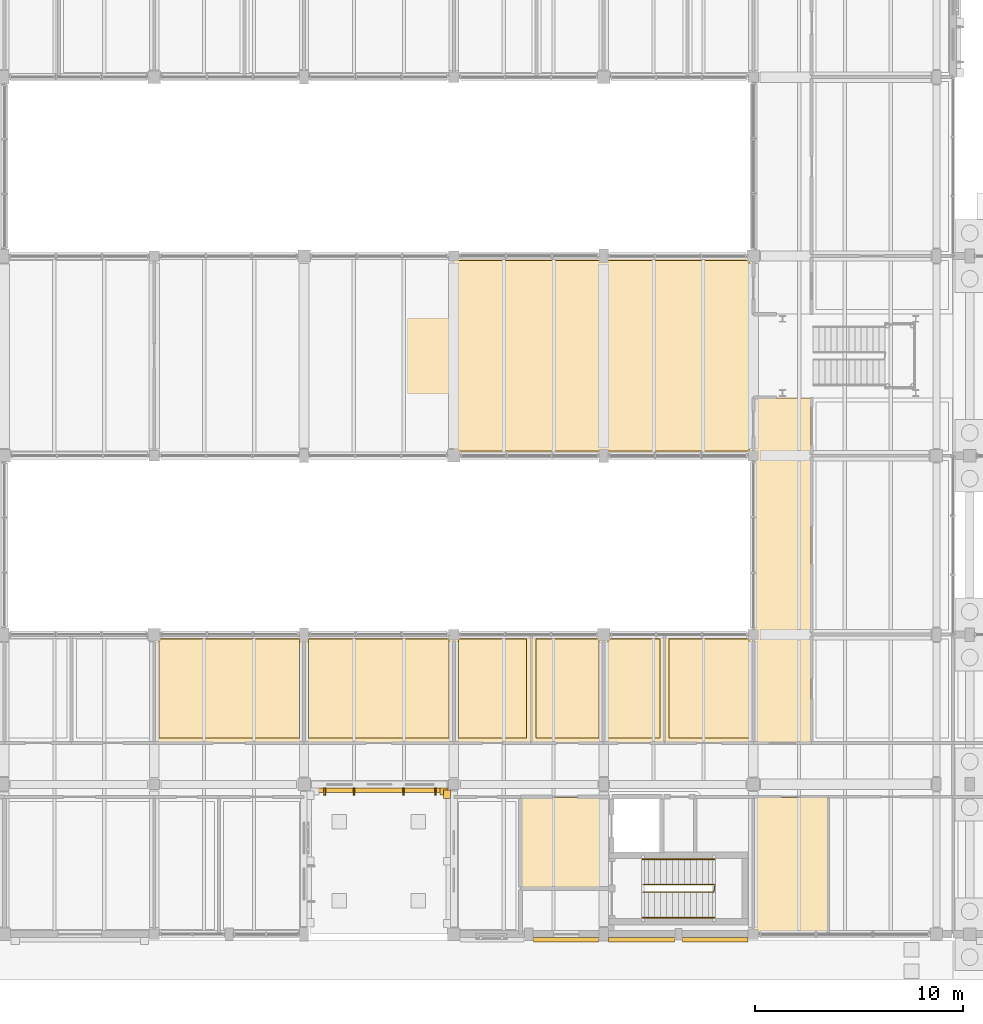
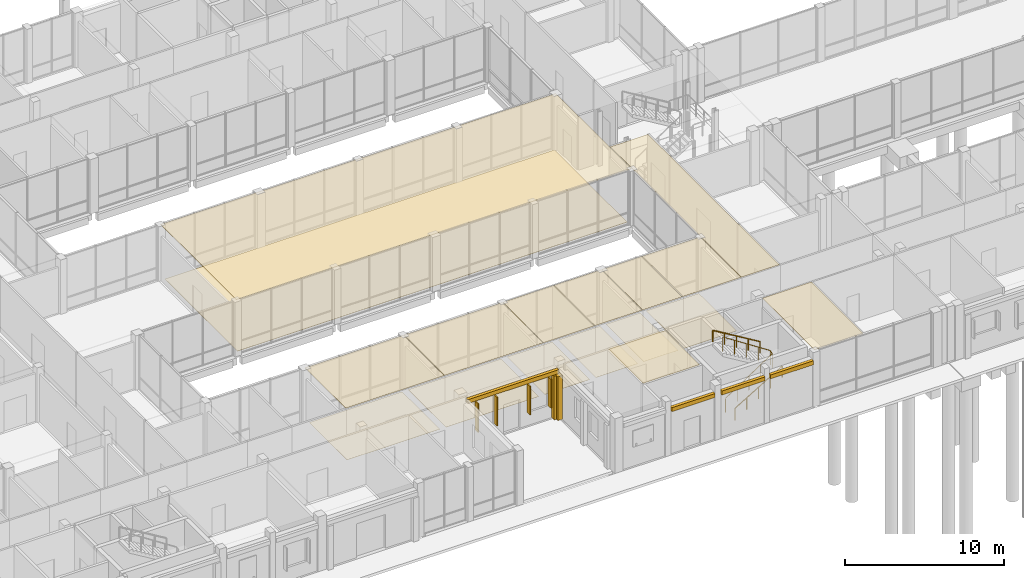
# One storey, part 94 of 104: 23 coverings, 4 shading devices, 3 railings.
"""IFC4 building model written with IfcOpenShell, lengths in metres."""

import ifcopenshell
import ifcopenshell.guid

model = None  # the IFC model being written
_history = None  # IfcOwnerHistory: only IFC2X3 demands one
_inside = {}  # id of a spatial element -> (the spatial element, [elements in it])
_under = {}  # id of a project, library or spatial element -> (it, [spatial elements below it])
_declared = {}  # id of a project -> (the project, [libraries it declares])
_typed = {}  # id of a type object -> (the type object, [elements of that type])
_made_of = {}  # id of a material, layer set ... -> (it, [elements and type objects made of it])


def new_model(schema):
    """Start an empty IFC model of exactly this schema.

    Asked for "IFC4X3", IfcOpenShell would pick the latest addendum, in which some entities
    have other attributes; the version numbers below select the first issue.
    IFC2X3 requires an IfcOwnerHistory on every rooted entity: one is made here for all.
    """
    global model, _history
    if schema == "IFC4X3":
        model = ifcopenshell.file(schema_version=(4, 3, 0, 0))
    else:
        model = ifcopenshell.file(schema=schema)
    _inside.clear()
    _under.clear()
    _declared.clear()
    _typed.clear()
    _made_of.clear()
    _history = None
    if model.schema == "IFC2X3":
        org = make("IfcOrganization", Name="unknown")
        user = make(
            "IfcPersonAndOrganization",
            ThePerson=make("IfcPerson", FamilyName="unknown"),
            TheOrganization=org,
        )
        app = make(
            "IfcApplication",
            ApplicationDeveloper=org,
            Version="unknown",
            ApplicationFullName="unknown",
            ApplicationIdentifier="unknown",
        )
        _history = make(
            "IfcOwnerHistory",
            OwningUser=user,
            OwningApplication=app,
            ChangeAction="ADDED",
            CreationDate=0,
        )
    return model


def make(cls, **values):
    """One entity of the class cls with the attributes given. An attribute that is None is left unset."""
    return model.create_entity(
        cls, **{name: value for name, value in values.items() if value is not None}
    )


def rooted(cls, **values):
    """An entity with a GlobalId (a new one), such as an element, a storey or a relation."""
    return make(cls, GlobalId=ifcopenshell.guid.new(), OwnerHistory=_history, **values)


def si_unit(unit_type, name, prefix=None):
    """IfcSIUnit, for example si_unit("LENGTHUNIT", "METRE", prefix="MILLI")."""
    return make("IfcSIUnit", UnitType=unit_type, Prefix=prefix, Name=name)


def assignment(units):
    """IfcUnitAssignment: the units of a project."""
    return None if units is None else make("IfcUnitAssignment", Units=units)


def point(xyz):
    """IfcCartesianPoint."""
    return None if xyz is None else make("IfcCartesianPoint", Coordinates=xyz)


def direction(xyz):
    """IfcDirection."""
    return None if xyz is None else make("IfcDirection", DirectionRatios=xyz)


def frame(location, z_axis=None, x_axis=None):
    """IfcAxis2Placement3D, a coordinate frame: its origin and axes. An axis left out is left unset."""
    return make(
        "IfcAxis2Placement3D",
        Location=point(location),
        Axis=direction(z_axis),
        RefDirection=direction(x_axis),
    )


def frame_2d(location, x_axis=None):
    """IfcAxis2Placement2D, a coordinate frame in the plane: its origin and x axis."""
    return make(
        "IfcAxis2Placement2D", Location=point(location), RefDirection=direction(x_axis)
    )


def origin():
    """The frame at (0, 0, 0) with its axes left unset."""
    return frame((0.0, 0.0, 0.0))


def origin_2d():
    """The frame at (0, 0) in the plane with its x axis left unset."""
    return frame_2d((0.0, 0.0))


def place(relative_to, where):
    """IfcLocalPlacement: puts the frame where relative to a parent placement (None: the world)."""
    return make(
        "IfcLocalPlacement", PlacementRelTo=relative_to, RelativePlacement=where
    )


def context(
    kind, dimensions, precision=None, world=None, true_north=None, identifier=None
):
    """IfcGeometricRepresentationContext, for example the 3D "Model" context."""
    return make(
        "IfcGeometricRepresentationContext",
        ContextIdentifier=identifier,
        ContextType=kind,
        CoordinateSpaceDimension=dimensions,
        Precision=precision,
        WorldCoordinateSystem=world,
        TrueNorth=true_north,
    )


def subcontext(parent, identifier, kind, view, scale=None):
    """IfcGeometricRepresentationSubContext, for example "Body" below "Model"."""
    return make(
        "IfcGeometricRepresentationSubContext",
        ContextIdentifier=identifier,
        ContextType=kind,
        ParentContext=parent,
        TargetScale=scale,
        TargetView=view,
    )


def project(units=None, contexts=None):
    """IfcProject with its units and contexts."""
    return rooted(
        "IfcProject",
        Name="project",
        RepresentationContexts=contexts,
        UnitsInContext=assignment(units),
    )


def spatial(cls, under=None, at=None, **own):
    """A site, building, storey or space (cls), placed at a placement, below another one or the project."""
    s = rooted(cls, ObjectPlacement=at, **own)
    if under is not None:
        _under.setdefault(under.id(), (under, []))[1].append(s)
    return s


def polyline(points):
    """IfcPolyline through the points."""
    return make("IfcPolyline", Points=[point(p) for p in points])


def profile(cls, at=None, kind="AREA", **sizes):
    """A parametric profile (cls). Its sizes go by their IFC names, for example OverallWidth=200.0."""
    return make(cls, ProfileType=kind, Position=at, **sizes)


def rectangle(**sizes):
    """IfcRectangleProfileDef."""
    return profile("IfcRectangleProfileDef", **sizes)


def circle(**sizes):
    """IfcCircleProfileDef."""
    return profile("IfcCircleProfileDef", **sizes)


def outline(outer, holes=None, kind="AREA"):
    """IfcArbitraryClosedProfileDef: a profile drawn as a closed curve; with holes, ...WithVoids."""
    if holes is None:
        return make("IfcArbitraryClosedProfileDef", ProfileType=kind, OuterCurve=outer)
    return make(
        "IfcArbitraryProfileDefWithVoids",
        ProfileType=kind,
        OuterCurve=outer,
        InnerCurves=holes,
    )


def extrude(swept, where, along, depth):
    """IfcExtrudedAreaSolid: the profile swept, set in the frame where, extruded along a direction by depth."""
    return make(
        "IfcExtrudedAreaSolid",
        SweptArea=swept,
        Position=where,
        ExtrudedDirection=direction(along),
        Depth=depth,
    )


def shape(context_of_items, identifier, shape_type, items):
    """IfcShapeRepresentation: the items that make up one representation, for example the "Body"."""
    return make(
        "IfcShapeRepresentation",
        ContextOfItems=context_of_items,
        RepresentationIdentifier=identifier,
        RepresentationType=shape_type,
        Items=items,
    )


def material(Name=None, Category=None):
    """IfcMaterial."""
    return make("IfcMaterial", Name=Name, Category=Category)


def layer(
    of_material, thickness, ventilated=None, Name=None, Category=None, Priority=None
):
    """IfcMaterialLayer: one layer of a wall or slab, of a material (None: an air gap)."""
    return make(
        "IfcMaterialLayer",
        Material=of_material,
        LayerThickness=thickness,
        IsVentilated=ventilated,
        Name=Name,
        Category=Category,
        Priority=Priority,
    )


def layer_set(layers, Name=None):
    """IfcMaterialLayerSet."""
    return make("IfcMaterialLayerSet", MaterialLayers=layers, LayerSetName=Name)


def made_of(thing, what):
    """Note that an element or type object is made of a material, layer set ...; save() writes the relation."""
    if what is not None:
        _made_of.setdefault(what.id(), (what, []))[1].append(thing)
    return thing


def type_object(cls, material=None, **own):
    """A type object (cls), such as IfcWallType, which elements share."""
    return made_of(rooted(cls, **own), material)


def element(
    cls,
    number,
    at=None,
    inside=None,
    cuts=None,
    type_object=None,
    material=None,
    context=None,
    identifier="Body",
    shape_type=None,
    held_by="IfcProductDefinitionShape",
    body=None,
    shapes=None,
    **own,
):
    """One element of the class cls, such as IfcWall. Its Tag is "e" and its number.

    at: its placement. inside: the storey or other place that contains it. cuts: it is an
    opening in that element (IfcRelVoidsElement). A single representation is given by context,
    identifier, shape_type and body (its items); several are given by shapes. held_by: the class
    of the entity that holds the representations. save() writes the other relations.
    """
    e = rooted(cls, Tag="e%d" % number, ObjectPlacement=at, **own)
    if body is not None:
        shapes = [shape(context, identifier, shape_type, body)]
    if shapes is not None:
        e.Representation = make(held_by, Representations=shapes)
    if inside is not None:
        _inside.setdefault(inside.id(), (inside, []))[1].append(e)
    if cuts is not None:
        rooted(
            "IfcRelVoidsElement", RelatingBuildingElement=cuts, RelatedOpeningElement=e
        )
    if type_object is not None:
        _typed.setdefault(type_object.id(), (type_object, []))[1].append(e)
    return made_of(e, material)


def aggregate(whole, parts):
    """IfcRelAggregates: a whole, such as a stair, and the parts it consists of."""
    return rooted("IfcRelAggregates", RelatingObject=whole, RelatedObjects=parts)


def save(model, path):
    """Write the relations noted so far, then the file.

    IfcRelAggregates (storeys below a building ...), IfcRelContainedInSpatialStructure (elements
    in a storey), IfcRelDefinesByType, IfcRelAssociatesMaterial and IfcRelDeclares: one each for
    every whole, place, type object, material and project.
    """
    for whole, parts in _under.values():
        aggregate(whole, parts)
    for where, things in _inside.values():
        rooted(
            "IfcRelContainedInSpatialStructure",
            RelatedElements=things,
            RelatingStructure=where,
        )
    for kind, things in _typed.values():
        rooted("IfcRelDefinesByType", RelatedObjects=things, RelatingType=kind)
    for what, things in _made_of.values():
        rooted("IfcRelAssociatesMaterial", RelatedObjects=things, RelatingMaterial=what)
    for by, libraries in _declared.values():
        rooted("IfcRelDeclares", RelatingContext=by, RelatedDefinitions=libraries)
    model.write(path)


model = new_model("IFC4")

# Units and contexts
model_context = context("Model", 3, precision=1e-05, world=origin(), true_north=direction((0.0, 1.0)))
body_context = subcontext(model_context, "Body", "Model", "MODEL_VIEW")
ifc_project = project(units=[si_unit("LENGTHUNIT", "METRE"), si_unit("AREAUNIT", "SQUARE_METRE"), si_unit("VOLUMEUNIT", "CUBIC_METRE"), si_unit("PLANEANGLEUNIT", "RADIAN"), si_unit("MASSUNIT", "GRAM", prefix="KILO")], contexts=[model_context])

# Site, building, storey
site_placement = place(None, origin())
site = spatial("IfcSite", under=ifc_project, at=site_placement, CompositionType="ELEMENT")
building_placement = place(site_placement, origin())
building = spatial("IfcBuilding", under=site, at=building_placement, Name="Hawrajan Terrace Health Centre", CompositionType="ELEMENT")
storey_placement = place(building_placement, origin())
storey = spatial("IfcBuildingStorey", under=building, at=storey_placement, Name="L00", CompositionType="ELEMENT", Elevation=0.0)

# Coverings
ifc_material_1 = material(Name="Precast concrete C40/50", Category="concrete")
ifc_layer_1 = layer(ifc_material_1, 0.219970703125)
ifc_layer_set_1 = layer_set([ifc_layer_1], Name="Precast concrete C40/50")
covering_type_1 = type_object("IfcCoveringType", Name="ArtDecoCorniceBand", PredefinedType="CLADDING", material=ifc_layer_set_1)
covering_1_placement = place(storey_placement, frame((44.22509765625, 11.1298828125, 3.3701171875), z_axis=(0.0, 0.0, 1.0), x_axis=(1.0, 0.0, 0.0)))
element("IfcCovering", 1, at=covering_1_placement, inside=storey, type_object=covering_type_1, Name="Art Deco limestone cornice band CRN-L00-0021", PredefinedType="CLADDING", context=body_context, shape_type="SweptSolid", body=[
    extrude(rectangle(XDim=6.610107421875, YDim=0.219970703125, at=origin_2d()), origin(), (0.0, 0.0, 1.0), 0.300048828125),
])
covering_2_placement = place(storey_placement, frame((53.1875, 3.929931640625, 3.3701171875), z_axis=(0.0, 0.0, 1.0), x_axis=(1.0, 0.0, 0.0)))
element("IfcCovering", 2, at=covering_2_placement, inside=storey, type_object=covering_type_1, Name="Art Deco limestone cornice band CRN-L00-0024", PredefinedType="CLADDING", context=body_context, shape_type="SweptSolid", body=[
    extrude(rectangle(XDim=3.135009765625, YDim=0.219970703125, at=origin_2d()), origin(), (0.0, 0.0, 1.0), 0.300048828125),
])
covering_3_placement = place(storey_placement, frame((56.824951171875, 3.93994140625, 3.3701171875), z_axis=(0.0, 0.0, 1.0), x_axis=(1.0, 0.0, 0.0)))
element("IfcCovering", 3, at=covering_3_placement, inside=storey, type_object=covering_type_1, Name="Art Deco limestone cornice band CRN-L00-0028", PredefinedType="CLADDING", context=body_context, shape_type="SweptSolid", body=[
    extrude(rectangle(XDim=3.159912109375, YDim=0.219970703125, at=origin_2d()), origin(), (0.0, 0.0, 1.0), 0.300048828125),
])
covering_4_placement = place(storey_placement, frame((60.362548828125, 3.93994140625, 3.3701171875), z_axis=(0.0, 0.0, 1.0), x_axis=(1.0, 0.0, 0.0)))
element("IfcCovering", 4, at=covering_4_placement, inside=storey, type_object=covering_type_1, Name="Art Deco limestone cornice band CRN-L00-0029", PredefinedType="CLADDING", context=body_context, shape_type="SweptSolid", body=[
    extrude(rectangle(XDim=3.135009765625, YDim=0.219970703125, at=origin_2d()), origin(), (0.0, 0.0, 1.0), 0.300048828125),
])
ifc_layer_2 = layer(ifc_material_1, 0.340087890625)
ifc_layer_set_2 = layer_set([ifc_layer_2], Name="Precast concrete C40/50")
covering_type_2 = type_object("IfcCoveringType", Name="ArtDecoStonePilaster", PredefinedType="CLADDING", material=ifc_layer_set_2)
for number, where, z_axis, x_axis, name in (
    (5, (47.330078125, 11.070068359375, 0.0), (0.0, 0.0, 1.0), (1.0, 0.0, 0.0), "Art Deco fluted limestone pilaster FPIL-L00-0030"),
    (6, (47.469970703125, 10.929931640625, 0.0), (0.0, 0.0, 1.0), (0.0, 1.0, 0.0), "Art Deco fluted limestone pilaster FPIL-L00-0034"),
):
    element("IfcCovering", number, at=place(storey_placement, frame(where, z_axis=z_axis, x_axis=x_axis)), inside=storey, type_object=covering_type_2, Name=name, PredefinedType="CLADDING", context=body_context, shape_type="SweptSolid", body=[
        extrude(rectangle(XDim=0.39990234375, YDim=0.340087890625, at=origin_2d()), origin(), (0.0, 0.0, 1.0), 3.360107421875),
    ])
ifc_material_2 = material(Name="Acoustic linear cedar-slat suspended ceiling")
ifc_layer_3 = layer(ifc_material_2, 0.034912109375)
ifc_layer_set_3 = layer_set([ifc_layer_3], Name="Acoustic linear cedar-slat suspended ceiling")
covering_type_3 = type_object("IfcCoveringType", Name="CedarSlatHallCeiling_35", PredefinedType="CEILING", material=ifc_layer_set_3)
covering_5_placement = place(storey_placement, frame((0.0, 0.0, 4.14501953125)))
element("IfcCovering", 7, at=covering_5_placement, inside=storey, type_object=covering_type_3, Name="Suspended ceiling L00-049", PredefinedType="CEILING", context=body_context, shape_type="SweptSolid", body=[
    extrude(outline(polyline([(33.419921875, 36.780029296875), (62.179931640625, 36.780029296875), (62.179931640625, 27.219970703125), (33.419921875, 27.219970703125), (33.419921875, 36.780029296875)])), origin(), (0.0, 0.0, 1.0), 0.034912109375),
])
ifc_material_3 = material(Name="Hygienic mineral-fibre acoustic tile ceiling")
ifc_layer_4 = layer(ifc_material_3, 0.02490234375)
ifc_layer_set_4 = layer_set([ifc_layer_4], Name="Hygienic mineral-fibre acoustic tile ceiling")
covering_type_4 = type_object("IfcCoveringType", Name="ClinicalAcousticCeiling_25", PredefinedType="CEILING", material=ifc_layer_set_4)
covering_6_placement = place(storey_placement, frame((0.0, 0.0, 4.155029296875)))
element("IfcCovering", 8, at=covering_6_placement, inside=storey, type_object=covering_type_4, Name="Suspended ceiling L00-024", PredefinedType="CEILING", context=body_context, shape_type="SweptSolid", body=[
    extrude(outline(polyline([(51.02001953125, 6.419921875), (51.02001953125, 10.780029296875), (55.1298828125, 10.780029296875), (55.1298828125, 6.419921875), (51.02001953125, 6.419921875)])), origin(), (0.0, 0.0, 1.0), 0.02490234375),
])
covering_7_placement = place(storey_placement, frame((0.0, 0.0, 4.155029296875)))
element("IfcCovering", 9, at=covering_7_placement, inside=storey, type_object=covering_type_4, Name="Suspended ceiling L00-040", PredefinedType="CEILING", context=body_context, shape_type="SweptSolid", body=[
    extrude(outline(polyline([(62.219970703125, 29.97998046875), (64.97998046875, 29.97998046875), (64.97998046875, 13.419921875), (62.219970703125, 13.419921875), (62.219970703125, 29.97998046875)])), origin(), (0.0, 0.0, 1.0), 0.02490234375),
])
covering_8_placement = place(storey_placement, frame((0.0, 0.0, 4.155029296875)))
element("IfcCovering", 10, at=covering_8_placement, inside=storey, type_object=covering_type_4, Name="Suspended ceiling L00-045", PredefinedType="CEILING", context=body_context, shape_type="SweptSolid", body=[
    extrude(outline(polyline([(62.219970703125, 10.780029296875), (65.780029296875, 10.780029296875), (65.780029296875, 4.219970703125), (62.219970703125, 4.219970703125), (62.219970703125, 10.780029296875)])), origin(), (0.0, 0.0, 1.0), 0.02490234375),
])
covering_9_placement = place(storey_placement, frame((0.0, 0.0, 4.155029296875)))
element("IfcCovering", 11, at=covering_9_placement, inside=storey, type_object=covering_type_4, Name="Suspended ceiling L00-092", PredefinedType="CEILING", context=body_context, shape_type="SweptSolid", body=[
    extrude(outline(polyline([(47.820068359375, 18.580078125), (51.50244140625, 18.580078125), (51.50244140625, 13.419921875), (47.820068359375, 13.419921875), (47.820068359375, 18.580078125)])), origin(), (0.0, 0.0, 1.0), 0.02490234375),
])
covering_10_placement = place(storey_placement, frame((0.0, 0.0, 4.155029296875)))
element("IfcCovering", 12, at=covering_10_placement, inside=storey, type_object=covering_type_4, Name="Suspended ceiling L00-093", PredefinedType="CEILING", context=body_context, shape_type="SweptSolid", body=[
    extrude(outline(polyline([(51.54248046875, 18.580078125), (54.97998046875, 18.580078125), (54.97998046875, 13.419921875), (51.54248046875, 13.419921875), (51.54248046875, 18.580078125)])), origin(), (0.0, 0.0, 1.0), 0.02490234375),
])
covering_11_placement = place(storey_placement, frame((0.0, 0.0, 4.155029296875)))
element("IfcCovering", 13, at=covering_11_placement, inside=storey, type_object=covering_type_4, Name="Suspended ceiling L00-094", PredefinedType="CEILING", context=body_context, shape_type="SweptSolid", body=[
    extrude(outline(polyline([(55.02001953125, 18.580078125), (57.910400390625, 18.580078125), (57.910400390625, 13.419921875), (55.02001953125, 13.419921875), (55.02001953125, 18.580078125)])), origin(), (0.0, 0.0, 1.0), 0.02490234375),
])
covering_12_placement = place(storey_placement, frame((0.0, 0.0, 4.155029296875)))
element("IfcCovering", 14, at=covering_12_placement, inside=storey, type_object=covering_type_4, Name="Suspended ceiling L00-095", PredefinedType="CEILING", context=body_context, shape_type="SweptSolid", body=[
    extrude(outline(polyline([(57.950439453125, 18.580078125), (62.179931640625, 18.580078125), (62.179931640625, 13.419921875), (57.950439453125, 13.419921875), (57.950439453125, 18.580078125)])), origin(), (0.0, 0.0, 1.0), 0.02490234375),
])
covering_13_placement = place(storey_placement, frame((0.0, 0.0, 4.155029296875)))
element("IfcCovering", 15, at=covering_13_placement, inside=storey, type_object=covering_type_4, Name="Suspended ceiling L00-124", PredefinedType="CEILING", context=body_context, shape_type="SweptSolid", body=[
    extrude(outline(polyline([(33.419921875, 18.580078125), (40.580078125, 18.580078125), (40.580078125, 13.419921875), (33.419921875, 13.419921875), (33.419921875, 18.580078125)])), origin(), (0.0, 0.0, 1.0), 0.02490234375),
])
covering_14_placement = place(storey_placement, frame((0.0, 0.0, 4.155029296875)))
element("IfcCovering", 16, at=covering_14_placement, inside=storey, type_object=covering_type_4, Name="Suspended ceiling L00-125", PredefinedType="CEILING", context=body_context, shape_type="SweptSolid", body=[
    extrude(outline(polyline([(40.6201171875, 18.580078125), (47.780029296875, 18.580078125), (47.780029296875, 13.419921875), (40.6201171875, 13.419921875), (40.6201171875, 18.580078125)])), origin(), (0.0, 0.0, 1.0), 0.02490234375),
])
ifc_material_4 = material(Name="Seamless medical-grade cushioned vinyl flooring")
ifc_layer_5 = layer(ifc_material_4, 0.011962890625)
ifc_layer_set_5 = layer_set([ifc_layer_5], Name="Seamless medical-grade cushioned vinyl flooring")
covering_type_5 = type_object("IfcCoveringType", Name="ClinicalVinylFlooring_12", PredefinedType="FLOORING", material=ifc_layer_set_5)
covering_15_placement = place(storey_placement, origin())
element("IfcCovering", 17, at=covering_15_placement, inside=storey, type_object=covering_type_5, Name="Floor finish L00-092", PredefinedType="FLOORING", context=body_context, shape_type="SweptSolid", body=[
    extrude(outline(polyline([(48.02001953125, 18.3798828125), (51.302490234375, 18.3798828125), (51.302490234375, 13.6201171875), (48.02001953125, 13.6201171875), (48.02001953125, 18.3798828125)])), origin(), (0.0, 0.0, 1.0), 0.011962890625),
])
covering_16_placement = place(storey_placement, origin())
element("IfcCovering", 18, at=covering_16_placement, inside=storey, type_object=covering_type_5, Name="Floor finish L00-093", PredefinedType="FLOORING", context=body_context, shape_type="SweptSolid", body=[
    extrude(outline(polyline([(51.742431640625, 18.3798828125), (54.780029296875, 18.3798828125), (54.780029296875, 13.6201171875), (51.742431640625, 13.6201171875), (51.742431640625, 18.3798828125)])), origin(), (0.0, 0.0, 1.0), 0.011962890625),
])
covering_17_placement = place(storey_placement, origin())
element("IfcCovering", 19, at=covering_17_placement, inside=storey, type_object=covering_type_5, Name="Floor finish L00-094", PredefinedType="FLOORING", context=body_context, shape_type="SweptSolid", body=[
    extrude(outline(polyline([(55.219970703125, 18.3798828125), (57.71044921875, 18.3798828125), (57.71044921875, 13.6201171875), (55.219970703125, 13.6201171875), (55.219970703125, 18.3798828125)])), origin(), (0.0, 0.0, 1.0), 0.011962890625),
])
covering_18_placement = place(storey_placement, origin())
element("IfcCovering", 20, at=covering_18_placement, inside=storey, type_object=covering_type_5, Name="Floor finish L00-095", PredefinedType="FLOORING", context=body_context, shape_type="SweptSolid", body=[
    extrude(outline(polyline([(58.150390625, 18.3798828125), (61.97998046875, 18.3798828125), (61.97998046875, 13.6201171875), (58.150390625, 13.6201171875), (58.150390625, 18.3798828125)])), origin(), (0.0, 0.0, 1.0), 0.011962890625),
])
covering_19_placement = place(storey_placement, origin())
element("IfcCovering", 21, at=covering_19_placement, inside=storey, type_object=covering_type_5, Name="Floor finish L00-124", PredefinedType="FLOORING", context=body_context, shape_type="SweptSolid", body=[
    extrude(outline(polyline([(33.6201171875, 18.3798828125), (40.3798828125, 18.3798828125), (40.3798828125, 13.6201171875), (33.6201171875, 13.6201171875), (33.6201171875, 18.3798828125)])), origin(), (0.0, 0.0, 1.0), 0.011962890625),
])
covering_20_placement = place(storey_placement, origin())
element("IfcCovering", 22, at=covering_20_placement, inside=storey, type_object=covering_type_5, Name="Floor finish L00-125", PredefinedType="FLOORING", context=body_context, shape_type="SweptSolid", body=[
    extrude(outline(polyline([(40.820068359375, 18.3798828125), (47.580078125, 18.3798828125), (47.580078125, 13.6201171875), (40.820068359375, 13.6201171875), (40.820068359375, 18.3798828125)])), origin(), (0.0, 0.0, 1.0), 0.011962890625),
])

# Shading devices
ifc_material_5 = material(Name="Anodized bronze mashrabiya vertical solar fin")
ifc_layer_6 = layer(ifc_material_5, 0.080078125)
ifc_layer_set_6 = layer_set([ifc_layer_6], Name="Anodized bronze mashrabiya vertical solar fin")
shading_device_type = type_object("IfcShadingDeviceType", Name="MashrabiyaVerticalFin", PredefinedType="USERDEFINED", material=ifc_layer_set_6)
for number, where, z_axis, x_axis, name in (
    (23, (41.597412109375, 11.06005859375, 1.0), (0.0, 0.0, 1.0), (1.0, 0.0, 0.0), "Bronze mashrabiya solar fin FIN-L00-0022"),
    (24, (42.99755859375, 11.06005859375, 1.0), (0.0, 0.0, 1.0), (1.0, 0.0, 0.0), "Bronze mashrabiya solar fin FIN-L00-0023"),
    (25, (45.387451171875, 11.06005859375, 1.0), (0.0, 0.0, 1.0), (1.0, 0.0, 0.0), "Bronze mashrabiya solar fin FIN-L00-0024"),
    (26, (46.91748046875, 11.06005859375, 1.0), (0.0, 0.0, 1.0), (1.0, 0.0, 0.0), "Bronze mashrabiya solar fin FIN-L00-0025"),
):
    element("IfcShadingDevice", number, at=place(storey_placement, frame(where, z_axis=z_axis, x_axis=x_axis)), inside=storey, type_object=shading_device_type, Name=name, ObjectType="SOLAR_FIN", PredefinedType="USERDEFINED", context=body_context, shape_type="SweptSolid", body=[
        extrude(rectangle(XDim=0.080078125, YDim=0.360107421875, at=origin_2d()), origin(), (0.0, 0.0, 1.0), 2.199951171875),
    ])

# Railings
ifc_material_6 = material(Name="Brushed stainless steel tubular handrail", Category="steel")
railing_type_1 = type_object("IfcRailingType", Name="StairHandrail_900", PredefinedType="HANDRAIL", material=ifc_material_6)
railing_1_placement = place(storey_placement, frame((56.875, 5.0, 0.173095703125)))
element("IfcRailing", 27, at=railing_1_placement, inside=storey, type_object=railing_type_1, Name="Stair handrail ST-4-L00-H1", PredefinedType="HANDRAIL", context=body_context, shape_type="SweptSolid", body=[
    extrude(circle(Radius=0.02392578125, at=origin_2d()), frame((0.024658203125, 0.0, 0.890625), z_axis=(0.856732359591, 0.0, 0.515761247119), x_axis=(0.0, 1.0, 0.0)), (0.0, 0.0, 1.0), 3.96923828125),
    extrude(circle(Radius=0.02099609375, at=origin_2d()), origin(), (0.0, 0.0, 1.0), 0.846923828125),
    extrude(circle(Radius=0.02099609375, at=origin_2d()), frame((0.862548828125, 0.0, 0.519287109375)), (0.0, 0.0, 1.0), 0.846923828125),
    extrude(circle(Radius=0.02099609375, at=origin_2d()), frame((1.72509765625, 0.0, 1.03857421875)), (0.0, 0.0, 1.0), 0.846923828125),
    extrude(circle(Radius=0.02099609375, at=origin_2d()), frame((2.58740234375, 0.0, 1.5576171875)), (0.0, 0.0, 1.0), 0.846923828125),
    extrude(circle(Radius=0.02099609375, at=origin_2d()), frame((3.449951171875, 0.0, 2.076904296875)), (0.0, 0.0, 1.0), 0.846923828125),
])
railing_2_placement = place(storey_placement, frame((60.324951171875, 7.800048828125, 2.423095703125)))
element("IfcRailing", 28, at=railing_2_placement, inside=storey, type_object=railing_type_1, Name="Stair handrail ST-4-L00-H2", PredefinedType="HANDRAIL", context=body_context, shape_type="SweptSolid", body=[
    extrude(circle(Radius=0.02392578125, at=origin_2d()), frame((-0.024658203125, 0.0, 0.890625), z_axis=(-0.856732359591, 0.0, 0.515761247119), x_axis=(0.0, -1.0, 0.0)), (0.0, 0.0, 1.0), 3.96923828125),
    extrude(circle(Radius=0.02099609375, at=origin_2d()), origin(), (0.0, 0.0, 1.0), 0.846923828125),
    extrude(circle(Radius=0.02099609375, at=origin_2d()), frame((-0.862548828125, 0.0, 0.519287109375)), (0.0, 0.0, 1.0), 0.846923828125),
    extrude(circle(Radius=0.02099609375, at=origin_2d()), frame((-1.72509765625, 0.0, 1.03857421875)), (0.0, 0.0, 1.0), 0.846923828125),
    extrude(circle(Radius=0.02099609375, at=origin_2d()), frame((-2.58740234375, 0.0, 1.5576171875)), (0.0, 0.0, 1.0), 0.846923828125),
    extrude(circle(Radius=0.02099609375, at=origin_2d()), frame((-3.449951171875, 0.0, 2.076904296875)), (0.0, 0.0, 1.0), 0.846923828125),
])
ifc_material_7 = material(Name="Painted steel stair well guard", Category="steel")
railing_type_2 = type_object("IfcRailingType", Name="StairWellGuard_1120", PredefinedType="GUARDRAIL", material=ifc_material_7)
railing_3_placement = place(storey_placement, frame((56.89990234375, 6.219970703125, 0.0)))
element("IfcRailing", 29, at=railing_3_placement, inside=storey, type_object=railing_type_2, Name="Stair well guard ST-4-L00-G1", PredefinedType="GUARDRAIL", context=body_context, shape_type="SweptSolid", body=[
    extrude(circle(Radius=0.02392578125, at=origin_2d()), frame((0.024169921875, 0.0, 1.112060546875), z_axis=(0.833943147616, 0.0, 0.551850366082), x_axis=(0.0, 1.0, 0.0)), (0.0, 0.0, 1.0), 4.01953125),
    extrude(circle(Radius=0.02392578125, at=origin_2d()), frame((3.404052734375, 0.028564453125, 3.34619140625), z_axis=(0.137659871128, 0.990479560557, 0.0), x_axis=(-0.990479560557, 0.137659871128, 0.0)), (0.0, 0.0, 1.0), 0.305908203125),
    extrude(circle(Radius=0.02392578125, at=origin_2d()), frame((3.426025390625, 0.360107421875, 3.36181640625), z_axis=(-0.837624746251, 0.0, 0.546246084167), x_axis=(0.0, -1.0, 0.0)), (0.0, 0.0, 1.0), 4.061279296875),
    extrude(circle(Radius=0.02099609375, at=origin_2d()), origin(), (0.0, 0.0, 1.0), 1.067138671875),
    extrude(circle(Radius=0.02099609375, at=origin_2d()), frame((0.85009765625, 0.0, 0.5625)), (0.0, 0.0, 1.0), 1.067138671875),
    extrude(circle(Radius=0.02099609375, at=origin_2d()), frame((1.7001953125, 0.0, 1.125)), (0.0, 0.0, 1.0), 1.067138671875),
    extrude(circle(Radius=0.02099609375, at=origin_2d()), frame((2.550048828125, 0.0, 1.6875)), (0.0, 0.0, 1.0), 1.067138671875),
    extrude(circle(Radius=0.02099609375, at=origin_2d()), frame((3.400146484375, 0.0, 2.25)), (0.0, 0.0, 1.0), 1.067138671875),
    extrude(circle(Radius=0.02099609375, at=origin_2d()), frame((3.4501953125, 0.360107421875, 2.25)), (0.0, 0.0, 1.0), 1.067138671875),
    extrude(circle(Radius=0.02099609375, at=origin_2d()), frame((2.587646484375, 0.360107421875, 2.8125)), (0.0, 0.0, 1.0), 1.067138671875),
    extrude(circle(Radius=0.02099609375, at=origin_2d()), frame((1.72509765625, 0.360107421875, 3.375)), (0.0, 0.0, 1.0), 1.067138671875),
    extrude(circle(Radius=0.02099609375, at=origin_2d()), frame((0.862548828125, 0.360107421875, 3.9375)), (0.0, 0.0, 1.0), 1.067138671875),
    extrude(circle(Radius=0.02099609375, at=origin_2d()), frame((0.0, 0.360107421875, 4.5)), (0.0, 0.0, 1.0), 1.067138671875),
])

# Covering
ifc_material_8 = material(Name="Polished coral-aggregate terrazzo flooring")
ifc_layer_7 = layer(ifc_material_8, 0.02001953125)
ifc_layer_set_7 = layer_set([ifc_layer_7], Name="Polished coral-aggregate terrazzo flooring")
covering_type_6 = type_object("IfcCoveringType", Name="TerrazzoHallFlooring_20", PredefinedType="FLOORING", material=ifc_layer_set_7)
covering_21_placement = place(storey_placement, origin())
element("IfcCovering", 30, at=covering_21_placement, inside=storey, type_object=covering_type_6, Name="Floor finish L00-049", PredefinedType="FLOORING", context=body_context, shape_type="SweptSolid", body=[
    extrude(outline(polyline([(33.6201171875, 36.580078125), (61.97998046875, 36.580078125), (61.97998046875, 27.419921875), (33.6201171875, 27.419921875), (33.6201171875, 36.580078125)])), origin(), (0.0, 0.0, 1.0), 0.02001953125),
])

save(model, "model.ifc")
